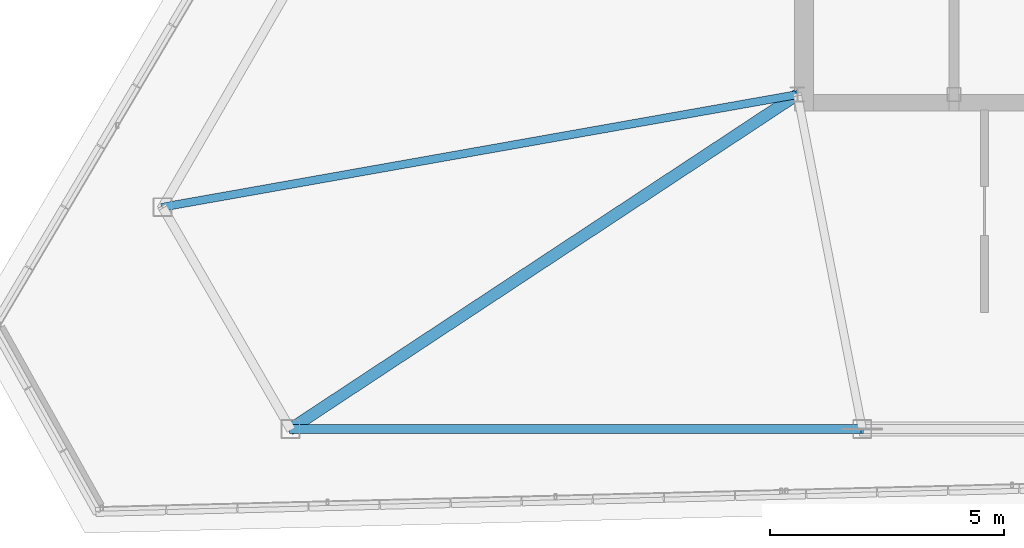
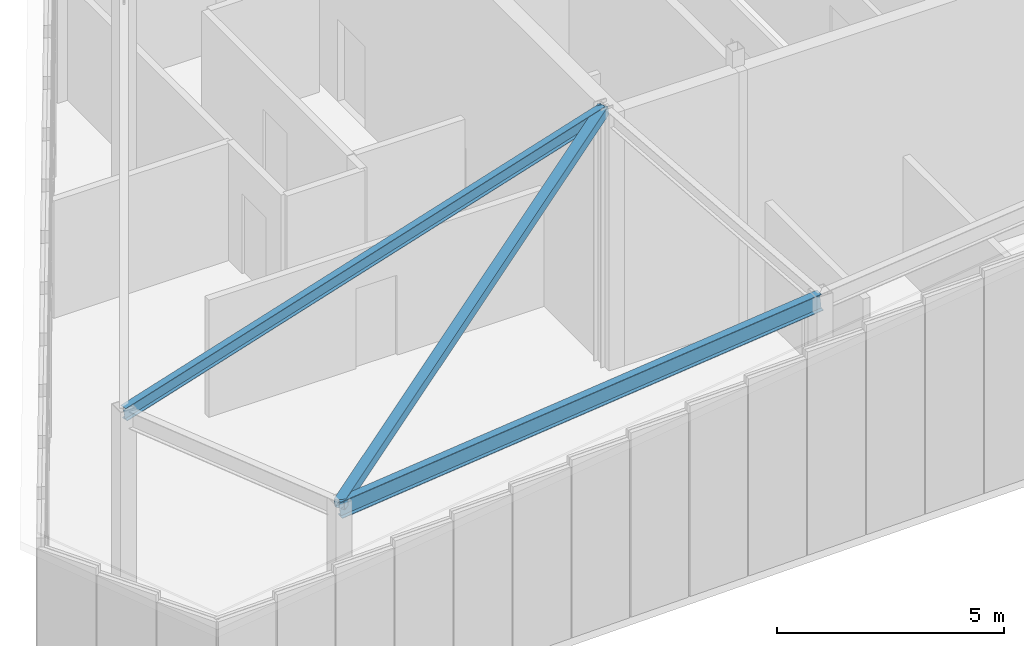
# One storey, part 6 of 50: 3 beams.
"""IFC4 building model written with IfcOpenShell, lengths in metres."""

import ifcopenshell
import ifcopenshell.guid

model = None  # the IFC model being written
_history = None  # IfcOwnerHistory: only IFC2X3 demands one
_inside = {}  # id of a spatial element -> (the spatial element, [elements in it])
_under = {}  # id of a project, library or spatial element -> (it, [spatial elements below it])
_declared = {}  # id of a project -> (the project, [libraries it declares])
_typed = {}  # id of a type object -> (the type object, [elements of that type])
_made_of = {}  # id of a material, layer set ... -> (it, [elements and type objects made of it])


def new_model(schema):
    """Start an empty IFC model of exactly this schema.

    Asked for "IFC4X3", IfcOpenShell would pick the latest addendum, in which some entities
    have other attributes; the version numbers below select the first issue.
    IFC2X3 requires an IfcOwnerHistory on every rooted entity: one is made here for all.
    """
    global model, _history
    if schema == "IFC4X3":
        model = ifcopenshell.file(schema_version=(4, 3, 0, 0))
    else:
        model = ifcopenshell.file(schema=schema)
    _inside.clear()
    _under.clear()
    _declared.clear()
    _typed.clear()
    _made_of.clear()
    _history = None
    if model.schema == "IFC2X3":
        org = make("IfcOrganization", Name="unknown")
        user = make(
            "IfcPersonAndOrganization",
            ThePerson=make("IfcPerson", FamilyName="unknown"),
            TheOrganization=org,
        )
        app = make(
            "IfcApplication",
            ApplicationDeveloper=org,
            Version="unknown",
            ApplicationFullName="unknown",
            ApplicationIdentifier="unknown",
        )
        _history = make(
            "IfcOwnerHistory",
            OwningUser=user,
            OwningApplication=app,
            ChangeAction="ADDED",
            CreationDate=0,
        )
    return model


def make(cls, **values):
    """One entity of the class cls with the attributes given. An attribute that is None is left unset."""
    return model.create_entity(
        cls, **{name: value for name, value in values.items() if value is not None}
    )


def rooted(cls, **values):
    """An entity with a GlobalId (a new one), such as an element, a storey or a relation."""
    return make(cls, GlobalId=ifcopenshell.guid.new(), OwnerHistory=_history, **values)


def si_unit(unit_type, name, prefix=None):
    """IfcSIUnit, for example si_unit("LENGTHUNIT", "METRE", prefix="MILLI")."""
    return make("IfcSIUnit", UnitType=unit_type, Prefix=prefix, Name=name)


def assignment(units):
    """IfcUnitAssignment: the units of a project."""
    return None if units is None else make("IfcUnitAssignment", Units=units)


def point(xyz):
    """IfcCartesianPoint."""
    return None if xyz is None else make("IfcCartesianPoint", Coordinates=xyz)


def direction(xyz):
    """IfcDirection."""
    return None if xyz is None else make("IfcDirection", DirectionRatios=xyz)


def frame(location, z_axis=None, x_axis=None):
    """IfcAxis2Placement3D, a coordinate frame: its origin and axes. An axis left out is left unset."""
    return make(
        "IfcAxis2Placement3D",
        Location=point(location),
        Axis=direction(z_axis),
        RefDirection=direction(x_axis),
    )


def frame_2d(location, x_axis=None):
    """IfcAxis2Placement2D, a coordinate frame in the plane: its origin and x axis."""
    return make(
        "IfcAxis2Placement2D", Location=point(location), RefDirection=direction(x_axis)
    )


def origin():
    """The frame at (0, 0, 0) with its axes left unset."""
    return frame((0.0, 0.0, 0.0))


def origin_2d():
    """The frame at (0, 0) in the plane with its x axis left unset."""
    return frame_2d((0.0, 0.0))


def place(relative_to, where):
    """IfcLocalPlacement: puts the frame where relative to a parent placement (None: the world)."""
    return make(
        "IfcLocalPlacement", PlacementRelTo=relative_to, RelativePlacement=where
    )


def context(
    kind, dimensions, precision=None, world=None, true_north=None, identifier=None
):
    """IfcGeometricRepresentationContext, for example the 3D "Model" context."""
    return make(
        "IfcGeometricRepresentationContext",
        ContextIdentifier=identifier,
        ContextType=kind,
        CoordinateSpaceDimension=dimensions,
        Precision=precision,
        WorldCoordinateSystem=world,
        TrueNorth=true_north,
    )


def subcontext(parent, identifier, kind, view, scale=None):
    """IfcGeometricRepresentationSubContext, for example "Body" below "Model"."""
    return make(
        "IfcGeometricRepresentationSubContext",
        ContextIdentifier=identifier,
        ContextType=kind,
        ParentContext=parent,
        TargetScale=scale,
        TargetView=view,
    )


def project(units=None, contexts=None):
    """IfcProject with its units and contexts."""
    return rooted(
        "IfcProject",
        Name="project",
        RepresentationContexts=contexts,
        UnitsInContext=assignment(units),
    )


def spatial(cls, under=None, at=None, **own):
    """A site, building, storey or space (cls), placed at a placement, below another one or the project."""
    s = rooted(cls, ObjectPlacement=at, **own)
    if under is not None:
        _under.setdefault(under.id(), (under, []))[1].append(s)
    return s


def profile(cls, at=None, kind="AREA", **sizes):
    """A parametric profile (cls). Its sizes go by their IFC names, for example OverallWidth=200.0."""
    return make(cls, ProfileType=kind, Position=at, **sizes)


def hollow_rectangle(**sizes):
    """IfcRectangleHollowProfileDef."""
    return profile("IfcRectangleHollowProfileDef", **sizes)


def i_section(**sizes):
    """IfcIShapeProfileDef."""
    return profile("IfcIShapeProfileDef", **sizes)


def extrude(swept, where, along, depth):
    """IfcExtrudedAreaSolid: the profile swept, set in the frame where, extruded along a direction by depth."""
    return make(
        "IfcExtrudedAreaSolid",
        SweptArea=swept,
        Position=where,
        ExtrudedDirection=direction(along),
        Depth=depth,
    )


def shape(context_of_items, identifier, shape_type, items):
    """IfcShapeRepresentation: the items that make up one representation, for example the "Body"."""
    return make(
        "IfcShapeRepresentation",
        ContextOfItems=context_of_items,
        RepresentationIdentifier=identifier,
        RepresentationType=shape_type,
        Items=items,
    )


def source(mapping_origin, context_of_items, identifier, shape_type, items):
    """IfcRepresentationMap: a shape defined once, which mapped items show again and again."""
    return make(
        "IfcRepresentationMap",
        MappingOrigin=mapping_origin,
        MappedRepresentation=shape(context_of_items, identifier, shape_type, items),
    )


def transform(
    local_origin,
    x_axis=None,
    y_axis=None,
    z_axis=None,
    scale=None,
    scale2=None,
    scale3=None,
    uniform=True,
):
    """IfcCartesianTransformationOperator3D, or its non-uniform kind. x_axis, y_axis, z_axis: its Axis1, 2, 3."""
    if uniform:
        return make(
            "IfcCartesianTransformationOperator3D",
            Axis1=direction(x_axis),
            Axis2=direction(y_axis),
            LocalOrigin=point(local_origin),
            Scale=scale,
            Axis3=direction(z_axis),
        )
    return make(
        "IfcCartesianTransformationOperator3DnonUniform",
        Axis1=direction(x_axis),
        Axis2=direction(y_axis),
        LocalOrigin=point(local_origin),
        Scale=scale,
        Axis3=direction(z_axis),
        Scale2=scale2,
        Scale3=scale3,
    )


def mapped(mapping_source, mapping_target):
    """IfcMappedItem: shows the shape of a source again, moved by a transform."""
    return make(
        "IfcMappedItem", MappingSource=mapping_source, MappingTarget=mapping_target
    )


def material(Name=None, Category=None):
    """IfcMaterial."""
    return make("IfcMaterial", Name=Name, Category=Category)


def material_profile(
    of_material, cross_section, Name=None, Category=None, Priority=None
):
    """IfcMaterialProfile: a cross section and its material."""
    return make(
        "IfcMaterialProfile",
        Name=Name,
        Material=of_material,
        Profile=cross_section,
        Priority=Priority,
        Category=Category,
    )


def profile_set(profiles, Name=None, composite=None):
    """IfcMaterialProfileSet."""
    return make(
        "IfcMaterialProfileSet",
        Name=Name,
        MaterialProfiles=profiles,
        CompositeProfile=composite,
    )


def made_of(thing, what):
    """Note that an element or type object is made of a material, layer set ...; save() writes the relation."""
    if what is not None:
        _made_of.setdefault(what.id(), (what, []))[1].append(thing)
    return thing


def type_object(cls, material=None, **own):
    """A type object (cls), such as IfcWallType, which elements share."""
    return made_of(rooted(cls, **own), material)


def type_shapes(of_type, sources):
    """Give a type object the sources (RepresentationMaps) that its elements show as mapped items."""
    of_type.RepresentationMaps = sources


def element(
    cls,
    number,
    at=None,
    inside=None,
    cuts=None,
    type_object=None,
    material=None,
    context=None,
    identifier="Body",
    shape_type=None,
    held_by="IfcProductDefinitionShape",
    body=None,
    shapes=None,
    **own,
):
    """One element of the class cls, such as IfcWall. Its Tag is "e" and its number.

    at: its placement. inside: the storey or other place that contains it. cuts: it is an
    opening in that element (IfcRelVoidsElement). A single representation is given by context,
    identifier, shape_type and body (its items); several are given by shapes. held_by: the class
    of the entity that holds the representations. save() writes the other relations.
    """
    e = rooted(cls, Tag="e%d" % number, ObjectPlacement=at, **own)
    if body is not None:
        shapes = [shape(context, identifier, shape_type, body)]
    if shapes is not None:
        e.Representation = make(held_by, Representations=shapes)
    if inside is not None:
        _inside.setdefault(inside.id(), (inside, []))[1].append(e)
    if cuts is not None:
        rooted(
            "IfcRelVoidsElement", RelatingBuildingElement=cuts, RelatedOpeningElement=e
        )
    if type_object is not None:
        _typed.setdefault(type_object.id(), (type_object, []))[1].append(e)
    return made_of(e, material)


def aggregate(whole, parts):
    """IfcRelAggregates: a whole, such as a stair, and the parts it consists of."""
    return rooted("IfcRelAggregates", RelatingObject=whole, RelatedObjects=parts)


def save(model, path):
    """Write the relations noted so far, then the file.

    IfcRelAggregates (storeys below a building ...), IfcRelContainedInSpatialStructure (elements
    in a storey), IfcRelDefinesByType, IfcRelAssociatesMaterial and IfcRelDeclares: one each for
    every whole, place, type object, material and project.
    """
    for whole, parts in _under.values():
        aggregate(whole, parts)
    for where, things in _inside.values():
        rooted(
            "IfcRelContainedInSpatialStructure",
            RelatedElements=things,
            RelatingStructure=where,
        )
    for kind, things in _typed.values():
        rooted("IfcRelDefinesByType", RelatedObjects=things, RelatingType=kind)
    for what, things in _made_of.values():
        rooted("IfcRelAssociatesMaterial", RelatedObjects=things, RelatingMaterial=what)
    for by, libraries in _declared.values():
        rooted("IfcRelDeclares", RelatingContext=by, RelatedDefinitions=libraries)
    model.write(path)


model = new_model("IFC4")

# Units and contexts
model_context = context("Model", 3, precision=1e-05, world=origin(), true_north=direction((0.0, 1.0)))
body_context = subcontext(model_context, "Body", "Model", "MODEL_VIEW")
ifc_project = project(units=[si_unit("LENGTHUNIT", "METRE"), si_unit("AREAUNIT", "SQUARE_METRE"), si_unit("VOLUMEUNIT", "CUBIC_METRE"), si_unit("PLANEANGLEUNIT", "RADIAN"), si_unit("MASSUNIT", "GRAM", prefix="KILO")], contexts=[model_context])

# Site, building, storey
site_placement = place(None, origin())
site = spatial("IfcSite", under=ifc_project, at=site_placement, CompositionType="ELEMENT")
building_placement = place(site_placement, origin())
building = spatial("IfcBuilding", under=site, at=building_placement, Name="Caelisora Broadcast Tower", CompositionType="ELEMENT")
storey_placement = place(building_placement, frame((0.0, 0.0, 303.39990234375)))
storey = spatial("IfcBuildingStorey", under=building, at=storey_placement, Name="L80", CompositionType="ELEMENT", Elevation=303.39990234375)

# Beams
ifc_material_1 = material(Name="Steel Grade 350 (AS/NZS 3679.1)", Category="steel")
ifc_material_profile_1 = material_profile(ifc_material_1, i_section(OverallWidth=0.172119140625, OverallDepth=0.358642578125, WebThickness=0.008056640625, FlangeThickness=0.012939453125, at=origin_2d()), Name="Steel Grade 350 (AS/NZS 3679.1)")
ifc_profile_set_1 = profile_set([ifc_material_profile_1], Name="Steel Grade 350 (AS/NZS 3679.1)")
beam_type_1 = type_object("IfcBeamType", Name="RB02", PredefinedType="USERDEFINED", material=ifc_profile_set_1)
shared_shape_1 = source(origin(), body_context, "Body", "SweptSolid", [
    extrude(i_section(OverallWidth=0.172119140625, OverallDepth=0.358642578125, WebThickness=0.008056640625, FlangeThickness=0.012939453125, at=origin_2d()), origin(), (0.0, 0.0, 1.0), 13.919921875),
])
type_shapes(beam_type_1, [shared_shape_1])
beam_1_placement = place(storey_placement, frame((30.5, 17.39990234375, 6.754150390625), z_axis=(-0.975361690868, -0.172864448134, -0.137067335853), x_axis=(0.174511534721, -0.984655129601, 0.0)))
element("IfcBeam", 1, at=beam_1_placement, inside=storey, type_object=beam_type_1, Name="L80 beam RB02", ObjectType="RAFTER", PredefinedType="USERDEFINED", context=body_context, shape_type="MappedRepresentation", body=[
    mapped(shared_shape_1, transform((0.0, 0.0, 0.0), scale=1.0)),
])
ifc_material_profile_2 = material_profile(ifc_material_1, i_section(OverallWidth=0.19091796875, OverallDepth=0.46044921875, WebThickness=0.010009765625, FlangeThickness=0.01611328125, at=origin_2d()), Name="Steel Grade 350 (AS/NZS 3679.1)")
ifc_profile_set_2 = profile_set([ifc_material_profile_2], Name="Steel Grade 350 (AS/NZS 3679.1)")
beam_type_2 = type_object("IfcBeamType", Name="RB01", PredefinedType="USERDEFINED", material=ifc_profile_set_2)
shared_shape_2 = source(origin(), body_context, "Body", "SweptSolid", [
    extrude(i_section(OverallWidth=0.19091796875, OverallDepth=0.46044921875, WebThickness=0.010009765625, FlangeThickness=0.01611328125, at=origin_2d()), origin(), (0.0, 0.0, 1.0), 12.2958984375),
])
type_shapes(beam_type_2, [shared_shape_2])
beam_2_placement = place(storey_placement, frame((19.661865234375, 10.25, 4.20654296875), z_axis=(0.994265277594, 0.0, 0.106941842938), x_axis=(0.0, 1.0, 0.0)))
element("IfcBeam", 2, at=beam_2_placement, inside=storey, type_object=beam_type_2, Name="L80 beam RB01", ObjectType="RAFTER", PredefinedType="USERDEFINED", context=body_context, shape_type="MappedRepresentation", body=[
    mapped(shared_shape_2, transform((0.0, 0.0, 0.0), scale=1.0)),
])
ifc_material_2 = material(Name="Steel Grade 350 (AS/NZS 1163 C350L0)", Category="steel")
ifc_material_profile_3 = material_profile(ifc_material_2, hollow_rectangle(XDim=0.25, YDim=0.25, WallThickness=0.010009765625, at=origin_2d()), Name="Steel Grade 350 (AS/NZS 1163 C350L0)")
ifc_profile_set_3 = profile_set([ifc_material_profile_3], Name="Steel Grade 350 (AS/NZS 1163 C350L0)")
beam_type_3 = type_object("IfcBeamType", Name="RB03", PredefinedType="USERDEFINED", material=ifc_profile_set_3)
shared_shape_3 = source(origin(), body_context, "Body", "SweptSolid", [
    extrude(hollow_rectangle(XDim=0.25, YDim=0.25, WallThickness=0.010009765625, at=origin_2d()), origin(), (0.0, 0.0, 1.0), 13.221923828125),
])
type_shapes(beam_type_3, [shared_shape_3])
beam_3_placement = place(storey_placement, frame((30.5, 17.39990234375, 6.807861328125), z_axis=(-0.819703832664, -0.54075747175, -0.188857045041), x_axis=(0.550666948774, -0.834725051456, 0.0)))
element("IfcBeam", 3, at=beam_3_placement, inside=storey, type_object=beam_type_3, Name="L80 beam RB03", ObjectType="RAFTER", PredefinedType="USERDEFINED", context=body_context, shape_type="MappedRepresentation", body=[
    mapped(shared_shape_3, transform((0.0, 0.0, 0.0), scale=1.0)),
])

save(model, "model.ifc")
